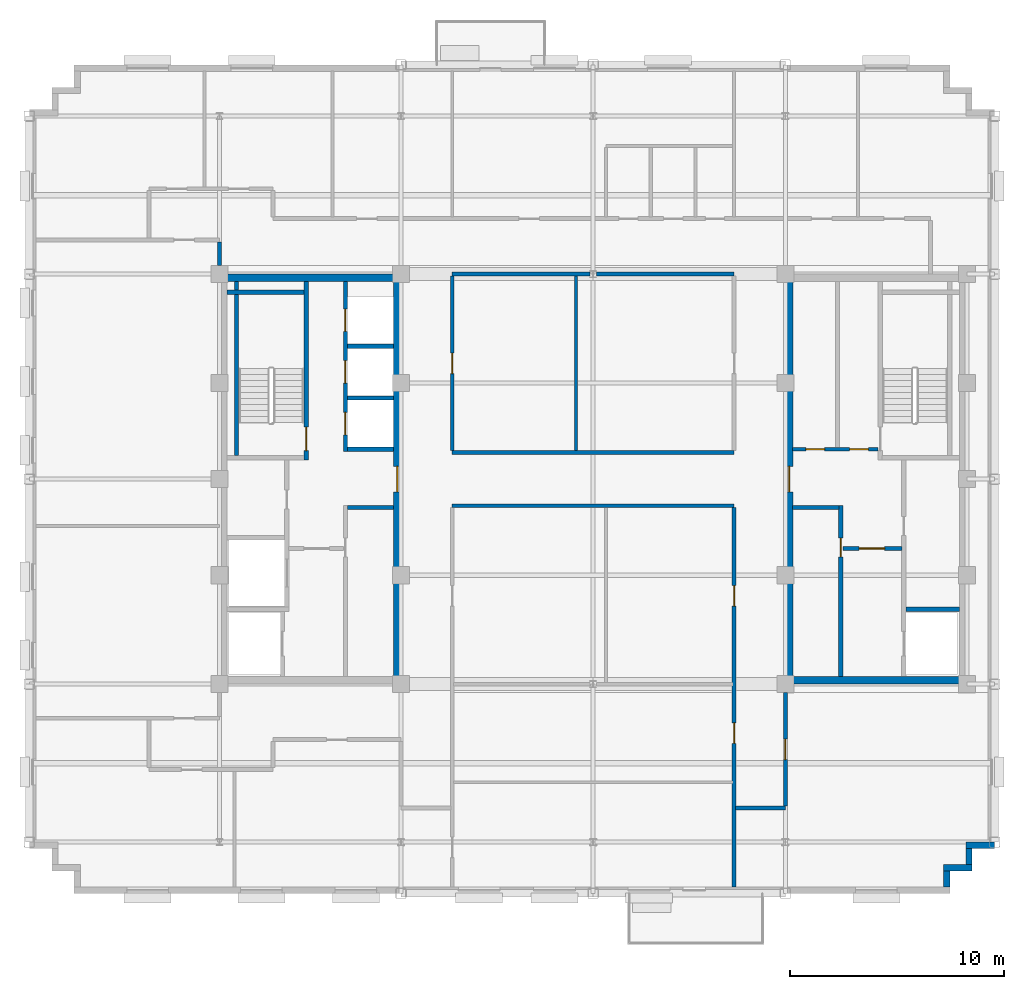
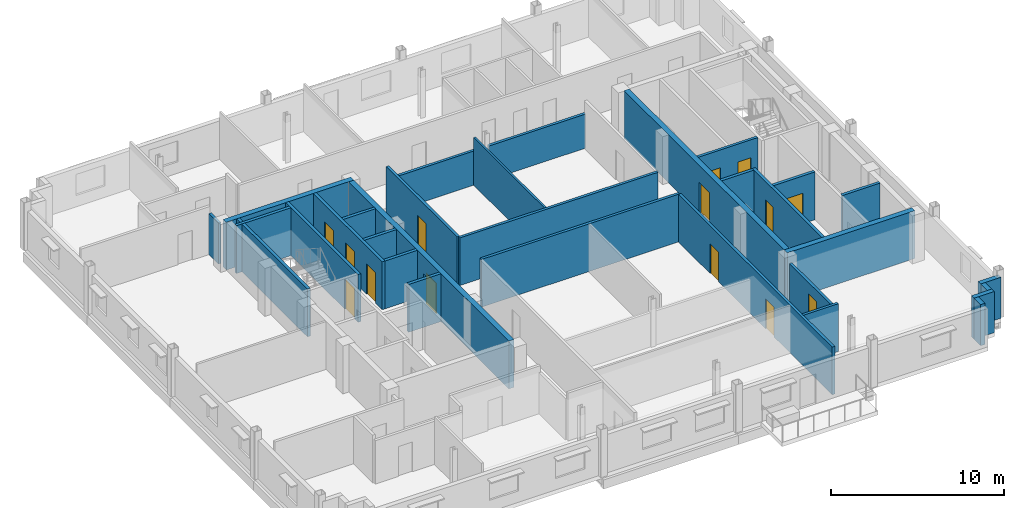
# One storey, part 7 of 13: 31 walls, 14 doors, 14 openings.
"""IFC4 building model written with IfcOpenShell, lengths in metres."""

import ifcopenshell
import ifcopenshell.guid

model = None  # the IFC model being written
_history = None  # IfcOwnerHistory: only IFC2X3 demands one
_inside = {}  # id of a spatial element -> (the spatial element, [elements in it])
_under = {}  # id of a project, library or spatial element -> (it, [spatial elements below it])
_declared = {}  # id of a project -> (the project, [libraries it declares])
_typed = {}  # id of a type object -> (the type object, [elements of that type])
_made_of = {}  # id of a material, layer set ... -> (it, [elements and type objects made of it])


def new_model(schema):
    """Start an empty IFC model of exactly this schema.

    Asked for "IFC4X3", IfcOpenShell would pick the latest addendum, in which some entities
    have other attributes; the version numbers below select the first issue.
    IFC2X3 requires an IfcOwnerHistory on every rooted entity: one is made here for all.
    """
    global model, _history
    if schema == "IFC4X3":
        model = ifcopenshell.file(schema_version=(4, 3, 0, 0))
    else:
        model = ifcopenshell.file(schema=schema)
    _inside.clear()
    _under.clear()
    _declared.clear()
    _typed.clear()
    _made_of.clear()
    _history = None
    if model.schema == "IFC2X3":
        org = make("IfcOrganization", Name="unknown")
        user = make(
            "IfcPersonAndOrganization",
            ThePerson=make("IfcPerson", FamilyName="unknown"),
            TheOrganization=org,
        )
        app = make(
            "IfcApplication",
            ApplicationDeveloper=org,
            Version="unknown",
            ApplicationFullName="unknown",
            ApplicationIdentifier="unknown",
        )
        _history = make(
            "IfcOwnerHistory",
            OwningUser=user,
            OwningApplication=app,
            ChangeAction="ADDED",
            CreationDate=0,
        )
    return model


def make(cls, **values):
    """One entity of the class cls with the attributes given. An attribute that is None is left unset."""
    return model.create_entity(
        cls, **{name: value for name, value in values.items() if value is not None}
    )


def rooted(cls, **values):
    """An entity with a GlobalId (a new one), such as an element, a storey or a relation."""
    return make(cls, GlobalId=ifcopenshell.guid.new(), OwnerHistory=_history, **values)


def si_unit(unit_type, name, prefix=None):
    """IfcSIUnit, for example si_unit("LENGTHUNIT", "METRE", prefix="MILLI")."""
    return make("IfcSIUnit", UnitType=unit_type, Prefix=prefix, Name=name)


def assignment(units):
    """IfcUnitAssignment: the units of a project."""
    return None if units is None else make("IfcUnitAssignment", Units=units)


def point(xyz):
    """IfcCartesianPoint."""
    return None if xyz is None else make("IfcCartesianPoint", Coordinates=xyz)


def direction(xyz):
    """IfcDirection."""
    return None if xyz is None else make("IfcDirection", DirectionRatios=xyz)


def frame(location, z_axis=None, x_axis=None):
    """IfcAxis2Placement3D, a coordinate frame: its origin and axes. An axis left out is left unset."""
    return make(
        "IfcAxis2Placement3D",
        Location=point(location),
        Axis=direction(z_axis),
        RefDirection=direction(x_axis),
    )


def frame_2d(location, x_axis=None):
    """IfcAxis2Placement2D, a coordinate frame in the plane: its origin and x axis."""
    return make(
        "IfcAxis2Placement2D", Location=point(location), RefDirection=direction(x_axis)
    )


def origin():
    """The frame at (0, 0, 0) with its axes left unset."""
    return frame((0.0, 0.0, 0.0))


def place(relative_to, where):
    """IfcLocalPlacement: puts the frame where relative to a parent placement (None: the world)."""
    return make(
        "IfcLocalPlacement", PlacementRelTo=relative_to, RelativePlacement=where
    )


def context(
    kind, dimensions, precision=None, world=None, true_north=None, identifier=None
):
    """IfcGeometricRepresentationContext, for example the 3D "Model" context."""
    return make(
        "IfcGeometricRepresentationContext",
        ContextIdentifier=identifier,
        ContextType=kind,
        CoordinateSpaceDimension=dimensions,
        Precision=precision,
        WorldCoordinateSystem=world,
        TrueNorth=true_north,
    )


def subcontext(parent, identifier, kind, view, scale=None):
    """IfcGeometricRepresentationSubContext, for example "Body" below "Model"."""
    return make(
        "IfcGeometricRepresentationSubContext",
        ContextIdentifier=identifier,
        ContextType=kind,
        ParentContext=parent,
        TargetScale=scale,
        TargetView=view,
    )


def project(units=None, contexts=None):
    """IfcProject with its units and contexts."""
    return rooted(
        "IfcProject",
        Name="project",
        RepresentationContexts=contexts,
        UnitsInContext=assignment(units),
    )


def spatial(cls, under=None, at=None, **own):
    """A site, building, storey or space (cls), placed at a placement, below another one or the project."""
    s = rooted(cls, ObjectPlacement=at, **own)
    if under is not None:
        _under.setdefault(under.id(), (under, []))[1].append(s)
    return s


def profile(cls, at=None, kind="AREA", **sizes):
    """A parametric profile (cls). Its sizes go by their IFC names, for example OverallWidth=200.0."""
    return make(cls, ProfileType=kind, Position=at, **sizes)


def rectangle(**sizes):
    """IfcRectangleProfileDef."""
    return profile("IfcRectangleProfileDef", **sizes)


def extrude(swept, where, along, depth):
    """IfcExtrudedAreaSolid: the profile swept, set in the frame where, extruded along a direction by depth."""
    return make(
        "IfcExtrudedAreaSolid",
        SweptArea=swept,
        Position=where,
        ExtrudedDirection=direction(along),
        Depth=depth,
    )


def shape(context_of_items, identifier, shape_type, items):
    """IfcShapeRepresentation: the items that make up one representation, for example the "Body"."""
    return make(
        "IfcShapeRepresentation",
        ContextOfItems=context_of_items,
        RepresentationIdentifier=identifier,
        RepresentationType=shape_type,
        Items=items,
    )


def source(mapping_origin, context_of_items, identifier, shape_type, items):
    """IfcRepresentationMap: a shape defined once, which mapped items show again and again."""
    return make(
        "IfcRepresentationMap",
        MappingOrigin=mapping_origin,
        MappedRepresentation=shape(context_of_items, identifier, shape_type, items),
    )


def transform(
    local_origin,
    x_axis=None,
    y_axis=None,
    z_axis=None,
    scale=None,
    scale2=None,
    scale3=None,
    uniform=True,
):
    """IfcCartesianTransformationOperator3D, or its non-uniform kind. x_axis, y_axis, z_axis: its Axis1, 2, 3."""
    if uniform:
        return make(
            "IfcCartesianTransformationOperator3D",
            Axis1=direction(x_axis),
            Axis2=direction(y_axis),
            LocalOrigin=point(local_origin),
            Scale=scale,
            Axis3=direction(z_axis),
        )
    return make(
        "IfcCartesianTransformationOperator3DnonUniform",
        Axis1=direction(x_axis),
        Axis2=direction(y_axis),
        LocalOrigin=point(local_origin),
        Scale=scale,
        Axis3=direction(z_axis),
        Scale2=scale2,
        Scale3=scale3,
    )


def mapped(mapping_source, mapping_target):
    """IfcMappedItem: shows the shape of a source again, moved by a transform."""
    return make(
        "IfcMappedItem", MappingSource=mapping_source, MappingTarget=mapping_target
    )


def material(Name=None, Category=None):
    """IfcMaterial."""
    return make("IfcMaterial", Name=Name, Category=Category)


def layer(
    of_material, thickness, ventilated=None, Name=None, Category=None, Priority=None
):
    """IfcMaterialLayer: one layer of a wall or slab, of a material (None: an air gap)."""
    return make(
        "IfcMaterialLayer",
        Material=of_material,
        LayerThickness=thickness,
        IsVentilated=ventilated,
        Name=Name,
        Category=Category,
        Priority=Priority,
    )


def layer_set(layers, Name=None):
    """IfcMaterialLayerSet."""
    return make("IfcMaterialLayerSet", MaterialLayers=layers, LayerSetName=Name)


def made_of(thing, what):
    """Note that an element or type object is made of a material, layer set ...; save() writes the relation."""
    if what is not None:
        _made_of.setdefault(what.id(), (what, []))[1].append(thing)
    return thing


def type_object(cls, material=None, **own):
    """A type object (cls), such as IfcWallType, which elements share."""
    return made_of(rooted(cls, **own), material)


def type_shapes(of_type, sources):
    """Give a type object the sources (RepresentationMaps) that its elements show as mapped items."""
    of_type.RepresentationMaps = sources


def element(
    cls,
    number,
    at=None,
    inside=None,
    cuts=None,
    type_object=None,
    material=None,
    context=None,
    identifier="Body",
    shape_type=None,
    held_by="IfcProductDefinitionShape",
    body=None,
    shapes=None,
    **own,
):
    """One element of the class cls, such as IfcWall. Its Tag is "e" and its number.

    at: its placement. inside: the storey or other place that contains it. cuts: it is an
    opening in that element (IfcRelVoidsElement). A single representation is given by context,
    identifier, shape_type and body (its items); several are given by shapes. held_by: the class
    of the entity that holds the representations. save() writes the other relations.
    """
    e = rooted(cls, Tag="e%d" % number, ObjectPlacement=at, **own)
    if body is not None:
        shapes = [shape(context, identifier, shape_type, body)]
    if shapes is not None:
        e.Representation = make(held_by, Representations=shapes)
    if inside is not None:
        _inside.setdefault(inside.id(), (inside, []))[1].append(e)
    if cuts is not None:
        rooted(
            "IfcRelVoidsElement", RelatingBuildingElement=cuts, RelatedOpeningElement=e
        )
    if type_object is not None:
        _typed.setdefault(type_object.id(), (type_object, []))[1].append(e)
    return made_of(e, material)


def fill(opening, filler):
    """IfcRelFillsElement: the door or window that sits in an opening."""
    return rooted(
        "IfcRelFillsElement",
        RelatingOpeningElement=opening,
        RelatedBuildingElement=filler,
    )


def aggregate(whole, parts):
    """IfcRelAggregates: a whole, such as a stair, and the parts it consists of."""
    return rooted("IfcRelAggregates", RelatingObject=whole, RelatedObjects=parts)


def save(model, path):
    """Write the relations noted so far, then the file.

    IfcRelAggregates (storeys below a building ...), IfcRelContainedInSpatialStructure (elements
    in a storey), IfcRelDefinesByType, IfcRelAssociatesMaterial and IfcRelDeclares: one each for
    every whole, place, type object, material and project.
    """
    for whole, parts in _under.values():
        aggregate(whole, parts)
    for where, things in _inside.values():
        rooted(
            "IfcRelContainedInSpatialStructure",
            RelatedElements=things,
            RelatingStructure=where,
        )
    for kind, things in _typed.values():
        rooted("IfcRelDefinesByType", RelatedObjects=things, RelatingType=kind)
    for what, things in _made_of.values():
        rooted("IfcRelAssociatesMaterial", RelatedObjects=things, RelatingMaterial=what)
    for by, libraries in _declared.values():
        rooted("IfcRelDeclares", RelatingContext=by, RelatedDefinitions=libraries)
    model.write(path)


model = new_model("IFC4")

# Units and contexts
model_context = context("Model", 3, precision=1e-05, world=origin(), true_north=direction((0.0, 1.0)))
body_context = subcontext(model_context, "Body", "Model", "MODEL_VIEW")
ifc_project = project(units=[si_unit("LENGTHUNIT", "METRE"), si_unit("AREAUNIT", "SQUARE_METRE"), si_unit("VOLUMEUNIT", "CUBIC_METRE"), si_unit("PLANEANGLEUNIT", "RADIAN"), si_unit("MASSUNIT", "GRAM", prefix="KILO")], contexts=[model_context])

# Site, building, storey
site_placement = place(None, origin())
site = spatial("IfcSite", under=ifc_project, at=site_placement, CompositionType="ELEMENT")
building_placement = place(site_placement, origin())
building = spatial("IfcBuilding", under=site, at=building_placement, Name="Nuvemarco Arch Tower", CompositionType="ELEMENT")
storey_placement = place(building_placement, frame((0.0, 0.0, 234.699951171875)))
storey = spatial("IfcBuildingStorey", under=building, at=storey_placement, Name="L62", CompositionType="ELEMENT", Elevation=234.699951171875)

# Walls
ifc_material_1 = material(Name="Precast concrete C45/55", Category="concrete")
ifc_layer_1 = layer(ifc_material_1, 0.300048828125, Name="EW-HIGH-300")
ifc_layer_set_1 = layer_set([ifc_layer_1], Name="Precast concrete C45/55")
wall_type_1 = type_object("IfcWallType", Name="EW-HIGH-300", PredefinedType="STANDARD", material=ifc_layer_set_1)
wall_1_placement = place(storey_placement, frame((16.550048828125, -19.10400390625, 0.0), z_axis=(0.0, 0.0, 1.0), x_axis=(0.0, 1.0, 0.0)))
element("IfcWall", 1, at=wall_1_placement, inside=storey, type_object=wall_type_1, Name="L62 exterior precast facade wall 2", PredefinedType="STANDARD", context=body_context, shape_type="SweptSolid", body=[
    extrude(rectangle(XDim=0.758056640625, YDim=0.300048828125, at=frame_2d((0.37890625, 0.0))), origin(), (0.0, 0.0, 1.0), 2.89208984375),
])
wall_2_placement = place(storey_placement, frame((16.39990234375, -18.199951171875, 0.0), z_axis=(0.0, 0.0, 1.0), x_axis=(1.0, 0.0, 0.0)))
element("IfcWall", 2, at=wall_2_placement, inside=storey, type_object=wall_type_1, Name="L62 exterior precast facade wall 3", PredefinedType="STANDARD", context=body_context, shape_type="SweptSolid", body=[
    extrude(rectangle(XDim=1.35009765625, YDim=0.300048828125, at=frame_2d((0.675048828125, 0.0))), origin(), (0.0, 0.0, 1.0), 2.89208984375),
])
wall_3_placement = place(storey_placement, frame((17.60009765625, -18.053955078125, 0.0), z_axis=(0.0, 0.0, 1.0), x_axis=(0.0, 1.0, 0.0)))
element("IfcWall", 3, at=wall_3_placement, inside=storey, type_object=wall_type_1, Name="L62 exterior precast facade wall 4", PredefinedType="STANDARD", context=body_context, shape_type="SweptSolid", body=[
    extrude(rectangle(XDim=0.758056640625, YDim=0.300048828125, at=frame_2d((0.37890625, 0.0))), origin(), (0.0, 0.0, 1.0), 2.89208984375),
])
wall_4_placement = place(storey_placement, frame((17.449951171875, -17.14990234375, 0.0), z_axis=(0.0, 0.0, 1.0), x_axis=(1.0, 0.0, 0.0)))
element("IfcWall", 4, at=wall_4_placement, inside=storey, type_object=wall_type_1, Name="L62 exterior precast facade wall 5", PredefinedType="STANDARD", context=body_context, shape_type="SweptSolid", body=[
    extrude(rectangle(XDim=1.35009765625, YDim=0.300048828125, at=frame_2d((0.675048828125, 0.0))), origin(), (0.0, 0.0, 1.0), 2.89208984375),
])
ifc_material_2 = material(Name="Concrete C50/60", Category="concrete")
ifc_layer_2 = layer(ifc_material_2, 0.35009765625, Name="WL-CORE-350")
ifc_layer_set_2 = layer_set([ifc_layer_2], Name="Concrete C50/60")
wall_type_2 = type_object("IfcWallType", Name="WL-CORE-350", PredefinedType="SHEAR", material=ifc_layer_set_2)
wall_5_placement = place(storey_placement, frame((-17.5, 9.425048828125, 0.0), z_axis=(0.0, 0.0, 1.0), x_axis=(1.0, 0.0, 0.0)))
element("IfcWall", 5, at=wall_5_placement, inside=storey, type_object=wall_type_2, Name="L62 W-core shear wall N", PredefinedType="SHEAR", context=body_context, shape_type="SweptSolid", body=[
    extrude(rectangle(XDim=8.5, YDim=0.35009765625, at=frame_2d((4.25, 0.0))), origin(), (0.0, 0.0, 1.0), 3.3701171875),
])

# Wall, opening, door
wall_6_placement = place(storey_placement, frame((-9.175048828125, -9.2548828125, 0.0), z_axis=(0.0, 0.0, 1.0), x_axis=(0.0, 1.0, 0.0)))
wall_6 = element("IfcWall", 6, at=wall_6_placement, inside=storey, type_object=wall_type_2, Name="L62 W-core shear wall E", PredefinedType="SHEAR", context=body_context, shape_type="SweptSolid", body=[
    extrude(rectangle(XDim=18.509765625, YDim=0.35009765625, at=frame_2d((9.2548828125, 0.0))), origin(), (0.0, 0.0, 1.0), 3.3701171875),
])
opening_1_placement = place(wall_6_placement, frame((8.655029296875, 0.0, 0.0)))
opening_1 = element("IfcOpeningElement", 7, at=opening_1_placement, cuts=wall_6, Name="Opening FD-2", PredefinedType="OPENING", context=body_context, shape_type="SweptSolid", body=[
    extrude(rectangle(XDim=1.199951171875, YDim=2.14990234375, at=frame_2d((0.60009765625, 1.074951171875))), frame((0.0, 0.18505859375, 0.0), z_axis=(0.0, -1.0, 0.0), x_axis=(1.0, 0.0, 0.0)), (0.0, 0.0, 1.0), 0.3701171875),
])
ifc_material_3 = material(Name="Anodised steel fire door", Category="steel")
door_type_1 = type_object("IfcDoorType", Name="DR-FFLOB-FD", OperationType="NOTDEFINED", PredefinedType="DOOR", material=ifc_material_3)
shared_shape_1 = source(origin(), body_context, "Body", "SweptSolid", [
    extrude(rectangle(XDim=1.199951171875, YDim=2.14990234375, at=frame_2d((0.60009765625, 1.074951171875))), frame((0.0, 0.02490234375, 0.0), z_axis=(0.0, -1.0, 0.0), x_axis=(1.0, 0.0, 0.0)), (0.0, 0.0, 1.0), 0.050048828125),
])
type_shapes(door_type_1, [shared_shape_1])
door_1_placement = place(opening_1_placement, origin())
door_1 = element("IfcDoor", 8, at=door_1_placement, inside=storey, type_object=door_type_1, Name="L62 door FD-L62-WCORE-E", OperationType="SINGLE_SWING_RIGHT", OverallHeight=2.14990234375, OverallWidth=1.199951171875, PredefinedType="DOOR", context=body_context, shape_type="MappedRepresentation", body=[
    mapped(shared_shape_1, transform((0.0, 0.0, 0.0), scale=1.0)),
])
fill(opening_1, door_1)

# Wall
wall_7_placement = place(storey_placement, frame((9.0, -9.425048828125, 0.0), z_axis=(0.0, 0.0, 1.0), x_axis=(1.0, 0.0, 0.0)))
element("IfcWall", 9, at=wall_7_placement, inside=storey, type_object=wall_type_2, Name="L62 E-core shear wall S", PredefinedType="SHEAR", context=body_context, shape_type="SweptSolid", body=[
    extrude(rectangle(XDim=8.5, YDim=0.35009765625, at=frame_2d((4.25, 0.0))), origin(), (0.0, 0.0, 1.0), 3.3701171875),
])

# Wall, opening, door
wall_8_placement = place(storey_placement, frame((9.175048828125, -9.2548828125, 0.0), z_axis=(0.0, 0.0, 1.0), x_axis=(0.0, 1.0, 0.0)))
wall_8 = element("IfcWall", 10, at=wall_8_placement, inside=storey, type_object=wall_type_2, Name="L62 E-core shear wall W", PredefinedType="SHEAR", context=body_context, shape_type="SweptSolid", body=[
    extrude(rectangle(XDim=18.509765625, YDim=0.35009765625, at=frame_2d((9.2548828125, 0.0))), origin(), (0.0, 0.0, 1.0), 3.3701171875),
])
opening_2_placement = place(wall_8_placement, frame((8.655029296875, 0.0, 0.0)))
opening_2 = element("IfcOpeningElement", 11, at=opening_2_placement, cuts=wall_8, Name="Opening FD-2", PredefinedType="OPENING", context=body_context, shape_type="SweptSolid", body=[
    extrude(rectangle(XDim=1.199951171875, YDim=2.14990234375, at=frame_2d((0.60009765625, 1.074951171875))), frame((0.0, 0.18505859375, 0.0), z_axis=(0.0, -1.0, 0.0), x_axis=(1.0, 0.0, 0.0)), (0.0, 0.0, 1.0), 0.3701171875),
])
door_2_placement = place(opening_2_placement, origin())
door_2 = element("IfcDoor", 12, at=door_2_placement, inside=storey, type_object=door_type_1, Name="L62 door FD-L62-ECORE-W", OperationType="SINGLE_SWING_LEFT", OverallHeight=2.14990234375, OverallWidth=1.199951171875, PredefinedType="DOOR", context=body_context, shape_type="MappedRepresentation", body=[
    mapped(shared_shape_1, transform((0.0, 0.0, 0.0), scale=1.0)),
])
fill(opening_2, door_2)

# Wall, openings, doors
ifc_material_4 = material(Name="Fire-rated gypsum drywall partition")
ifc_layer_3 = layer(ifc_material_4, 0.179931640625, Name="WL-CORR-180")
ifc_layer_set_3 = layer_set([ifc_layer_3], Name="Fire-rated gypsum drywall partition")
wall_type_3 = type_object("IfcWallType", Name="WL-CORR-180", PredefinedType="PARTITIONING", material=ifc_layer_set_3)
wall_9_placement = place(storey_placement, frame((9.344970703125, 1.39990234375, 0.0), z_axis=(0.0, 0.0, 1.0), x_axis=(1.0, 0.0, 0.0)))
wall_9 = element("IfcWall", 13, at=wall_9_placement, inside=storey, type_object=wall_type_3, Name="L62 interior wall IW-L62-EK-S", PredefinedType="PARTITIONING", context=body_context, shape_type="SweptSolid", body=[
    extrude(rectangle(XDim=4.0, YDim=0.179931640625, at=frame_2d((2.0, 0.0))), origin(), (0.0, 0.0, 1.0), 3.360107421875),
])
opening_3_placement = place(wall_9_placement, frame((0.614990234375, 0.0, 0.0)))
opening_3 = element("IfcOpeningElement", 14, at=opening_3_placement, cuts=wall_9, Name="Opening FD-4", PredefinedType="OPENING", context=body_context, shape_type="SweptSolid", body=[
    extrude(rectangle(XDim=0.8798828125, YDim=2.10009765625, at=frame_2d((0.43994140625, 1.050048828125))), frame((0.0, 0.099853515625, 0.0), z_axis=(0.0, -1.0, 0.0), x_axis=(1.0, 0.0, 0.0)), (0.0, 0.0, 1.0), 0.199951171875),
])
opening_4_placement = place(wall_9_placement, frame((2.6650390625, 0.0, 0.0)))
opening_4 = element("IfcOpeningElement", 15, at=opening_4_placement, cuts=wall_9, Name="Opening FD-4", PredefinedType="OPENING", context=body_context, shape_type="SweptSolid", body=[
    extrude(rectangle(XDim=0.8798828125, YDim=2.10009765625, at=frame_2d((0.43994140625, 1.050048828125))), frame((0.0, 0.099853515625, 0.0), z_axis=(0.0, -1.0, 0.0), x_axis=(1.0, 0.0, 0.0)), (0.0, 0.0, 1.0), 0.199951171875),
])
door_type_2 = type_object("IfcDoorType", Name="DR-RISER-FD", OperationType="NOTDEFINED", PredefinedType="DOOR", material=ifc_material_3)
shared_shape_2 = source(origin(), body_context, "Body", "SweptSolid", [
    extrude(rectangle(XDim=0.8798828125, YDim=2.10009765625, at=frame_2d((0.43994140625, 1.050048828125))), frame((0.0, 0.02490234375, 0.0), z_axis=(0.0, -1.0, 0.0), x_axis=(1.0, 0.0, 0.0)), (0.0, 0.0, 1.0), 0.050048828125),
])
type_shapes(door_type_2, [shared_shape_2])
door_3_placement = place(opening_3_placement, origin())
door_3 = element("IfcDoor", 16, at=door_3_placement, inside=storey, type_object=door_type_2, Name="L62 door FD-L62-EK2A", OperationType="SINGLE_SWING_RIGHT", OverallHeight=2.10009765625, OverallWidth=0.8798828125, PredefinedType="DOOR", context=body_context, shape_type="MappedRepresentation", body=[
    mapped(shared_shape_2, transform((0.0, 0.0, 0.0), scale=1.0)),
])
fill(opening_3, door_3)
door_4_placement = place(opening_4_placement, origin())
door_4 = element("IfcDoor", 17, at=door_4_placement, inside=storey, type_object=door_type_2, Name="L62 door FD-L62-EK2B", OperationType="SINGLE_SWING_LEFT", OverallHeight=2.10009765625, OverallWidth=0.8798828125, PredefinedType="DOOR", context=body_context, shape_type="MappedRepresentation", body=[
    mapped(shared_shape_2, transform((0.0, 0.0, 0.0), scale=1.0)),
])
fill(opening_4, door_4)

# Walls
wall_10_placement = place(storey_placement, frame((6.660888671875, -15.39990234375, 0.0), z_axis=(0.0, 0.0, 1.0), x_axis=(1.0, 0.0, 0.0)))
element("IfcWall", 18, at=wall_10_placement, inside=storey, type_object=wall_type_3, Name="L62 interior wall IW-L62-002", PredefinedType="PARTITIONING", context=body_context, shape_type="SweptSolid", body=[
    extrude(rectangle(XDim=2.339111328125, YDim=0.179931640625, at=frame_2d((1.16943359375, 0.0))), origin(), (0.0, 0.0, 1.0), 3.360107421875),
])
for number, where, z_axis, x_axis, name in (
    (19, (-6.60009765625, -1.25, 0.0), (0.0, 0.0, 1.0), (1.0, 0.0, 0.0), "L62 interior wall IW-L62-010"),
    (20, (-6.60009765625, 1.25, 0.0), (0.0, 0.0, 1.0), (1.0, 0.0, 0.0), "L62 interior wall IW-L62-011"),
):
    element("IfcWall", number, at=place(storey_placement, frame(where, z_axis=z_axis, x_axis=x_axis)), inside=storey, type_object=wall_type_3, Name=name, PredefinedType="PARTITIONING", context=body_context, shape_type="SweptSolid", body=[
        extrude(rectangle(XDim=13.2001953125, YDim=0.179931640625, at=frame_2d((6.60009765625, 0.0))), origin(), (0.0, 0.0, 1.0), 3.360107421875),
    ])
for number, where, z_axis, x_axis, name in (
    (21, (-6.60009765625, 9.60009765625, 0.0), (0.0, 0.0, 1.0), (1.0, 0.0, 0.0), "L62 interior wall IW-L62-012"),
    (22, (0.15087890625, 9.60009765625, 0.0), (0.0, 0.0, 1.0), (1.0, 0.0, 0.0), "L62 interior wall IW-L62-013"),
):
    element("IfcWall", number, at=place(storey_placement, frame(where, z_axis=z_axis, x_axis=x_axis)), inside=storey, type_object=wall_type_3, Name=name, PredefinedType="PARTITIONING", context=body_context, shape_type="SweptSolid", body=[
        extrude(rectangle(XDim=6.44921875, YDim=0.179931640625, at=frame_2d((3.224609375, 0.0))), origin(), (0.0, 0.0, 1.0), 2.405029296875),
    ])
wall_11_placement = place(storey_placement, frame((-17.5, 9.99609375, 0.0), z_axis=(0.0, 0.0, 1.0), x_axis=(0.0, 1.0, 0.0)))
element("IfcWall", 23, at=wall_11_placement, inside=storey, type_object=wall_type_3, Name="L62 interior wall IW-L62-022", PredefinedType="PARTITIONING", context=body_context, shape_type="SweptSolid", body=[
    extrude(rectangle(XDim=1.117919921875, YDim=0.179931640625, at=frame_2d((0.55908203125, 0.0))), origin(), (0.0, 0.0, 1.0), 2.89208984375),
])

# Wall, opening, door
wall_12_placement = place(storey_placement, frame((-6.60009765625, 1.3359375, 0.0), z_axis=(0.0, 0.0, 1.0), x_axis=(0.0, 1.0, 0.0)))
wall_12 = element("IfcWall", 24, at=wall_12_placement, inside=storey, type_object=wall_type_3, Name="L62 interior wall IW-L62-029", PredefinedType="PARTITIONING", context=body_context, shape_type="SweptSolid", body=[
    extrude(rectangle(XDim=8.177978515625, YDim=0.179931640625, at=frame_2d((4.0888671875, 0.0))), origin(), (0.0, 0.0, 1.0), 3.360107421875),
])
opening_5_placement = place(wall_12_placement, frame((3.60888671875, 0.0, 0.0)))
opening_5 = element("IfcOpeningElement", 25, at=opening_5_placement, cuts=wall_12, Name="Opening FD-5", PredefinedType="OPENING", context=body_context, shape_type="SweptSolid", body=[
    extrude(rectangle(XDim=0.9599609375, YDim=2.10009765625, at=frame_2d((0.47998046875, 1.050048828125))), frame((0.0, 0.099853515625, 0.0), z_axis=(0.0, -1.0, 0.0), x_axis=(1.0, 0.0, 0.0)), (0.0, 0.0, 1.0), 0.199951171875),
])
ifc_material_5 = material(Name="Timber fire door", Category="wood")
door_type_3 = type_object("IfcDoorType", Name="DR-CORR-FD", OperationType="NOTDEFINED", PredefinedType="DOOR", material=ifc_material_5)
shared_shape_3 = source(origin(), body_context, "Body", "SweptSolid", [
    extrude(rectangle(XDim=0.9599609375, YDim=2.10009765625, at=frame_2d((0.47998046875, 1.050048828125))), frame((0.0, 0.02490234375, 0.0), z_axis=(0.0, -1.0, 0.0), x_axis=(1.0, 0.0, 0.0)), (0.0, 0.0, 1.0), 0.050048828125),
])
type_shapes(door_type_3, [shared_shape_3])
door_5_placement = place(opening_5_placement, origin())
door_5 = element("IfcDoor", 26, at=door_5_placement, inside=storey, type_object=door_type_3, Name="L62 door DR-L62-C_N1", OperationType="SINGLE_SWING_RIGHT", OverallHeight=2.10009765625, OverallWidth=0.9599609375, PredefinedType="DOOR", context=body_context, shape_type="MappedRepresentation", body=[
    mapped(shared_shape_3, transform((0.0, 0.0, 0.0), scale=1.0)),
])
fill(opening_5, door_5)

# Wall, openings, doors
wall_13_placement = place(storey_placement, frame((6.60009765625, -19.10009765625, 0.0), z_axis=(0.0, 0.0, 1.0), x_axis=(0.0, 1.0, 0.0)))
wall_13 = element("IfcWall", 27, at=wall_13_placement, inside=storey, type_object=wall_type_3, Name="L62 interior wall IW-L62-036", PredefinedType="PARTITIONING", context=body_context, shape_type="SweptSolid", body=[
    extrude(rectangle(XDim=17.76416015625, YDim=0.179931640625, at=frame_2d((8.882080078125, 0.0))), origin(), (0.0, 0.0, 1.0), 3.360107421875),
])
opening_6_placement = place(wall_13_placement, frame((13.152099609375, 0.0, 0.0)))
opening_6 = element("IfcOpeningElement", 28, at=opening_6_placement, cuts=wall_13, Name="Opening FD-5", PredefinedType="OPENING", context=body_context, shape_type="SweptSolid", body=[
    extrude(rectangle(XDim=0.9599609375, YDim=2.10009765625, at=frame_2d((0.47998046875, 1.050048828125))), frame((0.0, 0.099853515625, 0.0), z_axis=(0.0, -1.0, 0.0), x_axis=(1.0, 0.0, 0.0)), (0.0, 0.0, 1.0), 0.199951171875),
])
opening_7_placement = place(wall_13_placement, frame((6.719970703125, 0.0, 0.0)))
opening_7 = element("IfcOpeningElement", 29, at=opening_7_placement, cuts=wall_13, Name="Opening FD-5", PredefinedType="OPENING", context=body_context, shape_type="SweptSolid", body=[
    extrude(rectangle(XDim=0.9599609375, YDim=2.10009765625, at=frame_2d((0.47998046875, 1.050048828125))), frame((0.0, 0.099853515625, 0.0), z_axis=(0.0, -1.0, 0.0), x_axis=(1.0, 0.0, 0.0)), (0.0, 0.0, 1.0), 0.199951171875),
])
door_6_placement = place(opening_6_placement, origin())
door_6 = element("IfcDoor", 30, at=door_6_placement, inside=storey, type_object=door_type_3, Name="L62 door DR-L62-C_S2", OperationType="SINGLE_SWING_LEFT", OverallHeight=2.10009765625, OverallWidth=0.9599609375, PredefinedType="DOOR", context=body_context, shape_type="MappedRepresentation", body=[
    mapped(shared_shape_3, transform((0.0, 0.0, 0.0), scale=1.0)),
])
fill(opening_6, door_6)
door_7_placement = place(opening_7_placement, origin())
door_7 = element("IfcDoor", 31, at=door_7_placement, inside=storey, type_object=door_type_3, Name="L62 door DR-L62-S_3", OperationType="SINGLE_SWING_LEFT", OverallHeight=2.10009765625, OverallWidth=0.9599609375, PredefinedType="DOOR", context=body_context, shape_type="MappedRepresentation", body=[
    mapped(shared_shape_3, transform((0.0, 0.0, 0.0), scale=1.0)),
])
fill(opening_7, door_7)

# Wall, opening, door
wall_14_placement = place(storey_placement, frame((9.0, -15.31396484375, 0.0), z_axis=(0.0, 0.0, 1.0), x_axis=(0.0, 1.0, 0.0)))
wall_14 = element("IfcWall", 32, at=wall_14_placement, inside=storey, type_object=wall_type_3, Name="L62 interior wall IW-L62-039", PredefinedType="PARTITIONING", context=body_context, shape_type="SweptSolid", body=[
    extrude(rectangle(XDim=5.31787109375, YDim=0.179931640625, at=frame_2d((2.658935546875, 0.0))), origin(), (0.0, 0.0, 1.0), 2.89208984375),
])
opening_8_placement = place(wall_14_placement, frame((2.178955078125, 0.0, 0.0)))
opening_8 = element("IfcOpeningElement", 33, at=opening_8_placement, cuts=wall_14, Name="Opening FD-5", PredefinedType="OPENING", context=body_context, shape_type="SweptSolid", body=[
    extrude(rectangle(XDim=0.9599609375, YDim=2.10009765625, at=frame_2d((0.47998046875, 1.050048828125))), frame((0.0, 0.099853515625, 0.0), z_axis=(0.0, -1.0, 0.0), x_axis=(1.0, 0.0, 0.0)), (0.0, 0.0, 1.0), 0.199951171875),
])
door_8_placement = place(opening_8_placement, origin())
door_8 = element("IfcDoor", 34, at=door_8_placement, inside=storey, type_object=door_type_3, Name="L62 door DR-L62-S_5", OperationType="SINGLE_SWING_RIGHT", OverallHeight=2.10009765625, OverallWidth=0.9599609375, PredefinedType="DOOR", context=body_context, shape_type="MappedRepresentation", body=[
    mapped(shared_shape_3, transform((0.0, 0.0, 0.0), scale=1.0)),
])
fill(opening_8, door_8)

# Wall
ifc_material_6 = material(Name="Glazed acoustic office partition")
ifc_layer_4 = layer(ifc_material_6, 0.1298828125, Name="WL-EXEC-130")
ifc_layer_set_4 = layer_set([ifc_layer_4], Name="Glazed acoustic office partition")
wall_type_4 = type_object("IfcWallType", Name="WL-EXEC-130", PredefinedType="PARTITIONING", material=ifc_layer_set_4)
wall_15_placement = place(storey_placement, frame((-0.800048828125, 1.3359375, 0.0), z_axis=(0.0, 0.0, 1.0), x_axis=(0.0, 1.0, 0.0)))
element("IfcWall", 35, at=wall_15_placement, inside=storey, type_object=wall_type_4, Name="L62 interior wall IW-L62-031", PredefinedType="PARTITIONING", context=body_context, shape_type="SweptSolid", body=[
    extrude(rectangle(XDim=8.177978515625, YDim=0.1298828125, at=frame_2d((4.0888671875, 0.0))), origin(), (0.0, 0.0, 1.0), 3.360107421875),
])

# Wall, opening, door
ifc_layer_5 = layer(ifc_material_2, 0.199951171875, Name="WL-SHAFT-220")
ifc_layer_set_5 = layer_set([ifc_layer_5], Name="Concrete C50/60")
wall_type_5 = type_object("IfcWallType", Name="WL-SHAFT-220", PredefinedType="SHEAR", material=ifc_layer_set_5)
wall_16_placement = place(storey_placement, frame((-13.43994140625, 0.89990234375, 0.0), z_axis=(0.0, 0.0, 1.0), x_axis=(0.0, 1.0, 0.0)))
wall_16 = element("IfcWall", 36, at=wall_16_placement, inside=storey, type_object=wall_type_5, Name="L62 structural shaft wall SW-L62-W-ST1E", PredefinedType="SHEAR", context=body_context, shape_type="SweptSolid", body=[
    extrude(rectangle(XDim=8.35498046875, YDim=0.199951171875, at=frame_2d((4.177490234375, 0.0))), origin(), (0.0, 0.0, 1.0), 3.3701171875),
])
opening_9_placement = place(wall_16_placement, frame((1.530029296875, 0.0, 0.0), z_axis=(0.0, 0.0, 1.0), x_axis=(-1.0, 0.0, 0.0)))
opening_9 = element("IfcOpeningElement", 37, at=opening_9_placement, cuts=wall_16, Name="Opening FD-1", PredefinedType="OPENING", context=body_context, shape_type="SweptSolid", body=[
    extrude(rectangle(XDim=1.10009765625, YDim=2.14990234375, at=frame_2d((0.550048828125, 1.074951171875))), frame((0.0, 0.10986328125, 0.0), z_axis=(0.0, -1.0, 0.0), x_axis=(1.0, 0.0, 0.0)), (0.0, 0.0, 1.0), 0.219970703125),
])
door_type_4 = type_object("IfcDoorType", Name="DR-STAIR-FD", OperationType="NOTDEFINED", PredefinedType="DOOR", material=ifc_material_3)
shared_shape_4 = source(origin(), body_context, "Body", "SweptSolid", [
    extrude(rectangle(XDim=1.10009765625, YDim=2.14990234375, at=frame_2d((0.550048828125, 1.074951171875))), frame((0.0, 0.02490234375, 0.0), z_axis=(0.0, -1.0, 0.0), x_axis=(1.0, 0.0, 0.0)), (0.0, 0.0, 1.0), 0.050048828125),
])
type_shapes(door_type_4, [shared_shape_4])
door_9_placement = place(opening_9_placement, origin())
door_9 = element("IfcDoor", 38, at=door_9_placement, inside=storey, type_object=door_type_4, Name="L62 door FD-L62-ST1", OperationType="SINGLE_SWING_RIGHT", OverallHeight=2.14990234375, OverallWidth=1.10009765625, PredefinedType="DOOR", context=body_context, shape_type="MappedRepresentation", body=[
    mapped(shared_shape_4, transform((0.0, 0.0, 0.0), scale=1.0)),
])
fill(opening_9, door_9)

# Walls
wall_17_placement = place(storey_placement, frame((-17.155029296875, 8.75, 0.0), z_axis=(0.0, 0.0, 1.0), x_axis=(1.0, 0.0, 0.0)))
element("IfcWall", 39, at=wall_17_placement, inside=storey, type_object=wall_type_5, Name="L62 structural shaft wall SW-L62-W-ST1N", PredefinedType="SHEAR", context=body_context, shape_type="SweptSolid", body=[
    extrude(rectangle(XDim=3.6201171875, YDim=0.199951171875, at=frame_2d((1.81005859375, 0.0))), origin(), (0.0, 0.0, 1.0), 3.3701171875),
])
wall_18_placement = place(storey_placement, frame((-16.699951171875, 1.094970703125, 0.0), z_axis=(0.0, 0.0, 1.0), x_axis=(0.0, 1.0, 0.0)))
element("IfcWall", 40, at=wall_18_placement, inside=storey, type_object=wall_type_5, Name="L62 structural shaft wall SW-L62-W-ST1W", PredefinedType="SHEAR", context=body_context, shape_type="SweptSolid", body=[
    extrude(rectangle(XDim=8.159912109375, YDim=0.199951171875, at=frame_2d((4.080078125, 0.0))), origin(), (0.0, 0.0, 1.0), 3.3701171875),
])
wall_19_placement = place(storey_placement, frame((-11.5048828125, -1.330078125, 0.0), z_axis=(0.0, 0.0, 1.0), x_axis=(1.0, 0.0, 0.0)))
element("IfcWall", 41, at=wall_19_placement, inside=storey, type_object=wall_type_5, Name="L62 structural shaft wall SW-L62-W-PLTOP", PredefinedType="SHEAR", context=body_context, shape_type="SweptSolid", body=[
    extrude(rectangle(XDim=2.159912109375, YDim=0.199951171875, at=frame_2d((1.080078125, 0.0))), origin(), (0.0, 0.0, 1.0), 3.3701171875),
])

# Wall, openings, doors
wall_20_placement = place(storey_placement, frame((-11.60009765625, 1.300048828125, 0.0), z_axis=(0.0, 0.0, 1.0), x_axis=(0.0, 1.0, 0.0)))
wall_20 = element("IfcWall", 42, at=wall_20_placement, inside=storey, type_object=wall_type_5, Name="L62 structural shaft wall SW-L62-W-PHW", PredefinedType="SHEAR", context=body_context, shape_type="SweptSolid", body=[
    extrude(rectangle(XDim=7.954833984375, YDim=0.199951171875, at=frame_2d((3.9775390625, 0.0))), origin(), (0.0, 0.0, 1.0), 3.3701171875),
])
opening_10_placement = place(wall_20_placement, frame((0.77490234375, 0.0, 0.0)))
opening_10 = element("IfcOpeningElement", 43, at=opening_10_placement, cuts=wall_20, Name="Opening LD-1", PredefinedType="OPENING", context=body_context, shape_type="SweptSolid", body=[
    extrude(rectangle(XDim=1.050048828125, YDim=2.14990234375, at=frame_2d((0.52490234375, 1.074951171875))), frame((0.0, 0.10986328125, 0.0), z_axis=(0.0, -1.0, 0.0), x_axis=(1.0, 0.0, 0.0)), (0.0, 0.0, 1.0), 0.219970703125),
])
opening_11_placement = place(wall_20_placement, frame((3.195068359375, 0.0, 0.0)))
opening_11 = element("IfcOpeningElement", 44, at=opening_11_placement, cuts=wall_20, Name="Opening LD-1", PredefinedType="OPENING", context=body_context, shape_type="SweptSolid", body=[
    extrude(rectangle(XDim=1.050048828125, YDim=2.14990234375, at=frame_2d((0.52490234375, 1.074951171875))), frame((0.0, 0.10986328125, 0.0), z_axis=(0.0, -1.0, 0.0), x_axis=(1.0, 0.0, 0.0)), (0.0, 0.0, 1.0), 0.219970703125),
])
opening_12_placement = place(wall_20_placement, frame((5.614990234375, 0.0, 0.0)))
opening_12 = element("IfcOpeningElement", 45, at=opening_12_placement, cuts=wall_20, Name="Opening LD-1", PredefinedType="OPENING", context=body_context, shape_type="SweptSolid", body=[
    extrude(rectangle(XDim=1.050048828125, YDim=2.14990234375, at=frame_2d((0.52490234375, 1.074951171875))), frame((0.0, 0.10986328125, 0.0), z_axis=(0.0, -1.0, 0.0), x_axis=(1.0, 0.0, 0.0)), (0.0, 0.0, 1.0), 0.219970703125),
])
ifc_material_7 = material(Name="Stainless steel lift door", Category="steel")
door_type_5 = type_object("IfcDoorType", Name="DR-LIFT-PASS", OperationType="DOUBLE_DOOR_SLIDING", PredefinedType="DOOR", material=ifc_material_7)
shared_shape_5 = source(origin(), body_context, "Body", "SweptSolid", [
    extrude(rectangle(XDim=1.050048828125, YDim=2.14990234375, at=frame_2d((0.52490234375, 1.074951171875))), frame((0.0, 0.02490234375, 0.0), z_axis=(0.0, -1.0, 0.0), x_axis=(1.0, 0.0, 0.0)), (0.0, 0.0, 1.0), 0.050048828125),
])
type_shapes(door_type_5, [shared_shape_5])
door_10_placement = place(opening_10_placement, origin())
door_10 = element("IfcDoor", 46, at=door_10_placement, inside=storey, type_object=door_type_5, Name="L62 Lift landing sliding door PH-1", OperationType="DOUBLE_DOOR_SLIDING", OverallHeight=2.14990234375, OverallWidth=1.050048828125, PredefinedType="DOOR", context=body_context, shape_type="MappedRepresentation", body=[
    mapped(shared_shape_5, transform((0.0, 0.0, 0.0), scale=1.0)),
])
fill(opening_10, door_10)
door_11_placement = place(opening_11_placement, origin())
door_11 = element("IfcDoor", 47, at=door_11_placement, inside=storey, type_object=door_type_5, Name="L62 Lift landing sliding door PH-2", OperationType="DOUBLE_DOOR_SLIDING", OverallHeight=2.14990234375, OverallWidth=1.050048828125, PredefinedType="DOOR", context=body_context, shape_type="MappedRepresentation", body=[
    mapped(shared_shape_5, transform((0.0, 0.0, 0.0), scale=1.0)),
])
fill(opening_11, door_11)
door_12_placement = place(opening_12_placement, origin())
door_12 = element("IfcDoor", 48, at=door_12_placement, inside=storey, type_object=door_type_5, Name="L62 Lift landing sliding door PH-3", OperationType="DOUBLE_DOOR_SLIDING", OverallHeight=2.14990234375, OverallWidth=1.050048828125, PredefinedType="DOOR", context=body_context, shape_type="MappedRepresentation", body=[
    mapped(shared_shape_5, transform((0.0, 0.0, 0.0), scale=1.0)),
])
fill(opening_12, door_12)

# Walls
for number, where, z_axis, x_axis, name in (
    (49, (-11.5048828125, 1.39990234375, 0.0), (0.0, 0.0, 1.0), (1.0, 0.0, 0.0), "L62 structural shaft wall SW-L62-W-PHD1"),
    (50, (-11.5048828125, 3.800048828125, 0.0), (0.0, 0.0, 1.0), (1.0, 0.0, 0.0), "L62 structural shaft wall SW-L62-W-PHD2"),
    (51, (-11.5048828125, 6.219970703125, 0.0), (0.0, 0.0, 1.0), (1.0, 0.0, 0.0), "L62 structural shaft wall SW-L62-W-PHD3"),
):
    element("IfcWall", number, at=place(storey_placement, frame(where, z_axis=z_axis, x_axis=x_axis)), inside=storey, type_object=wall_type_5, Name=name, PredefinedType="SHEAR", context=body_context, shape_type="SweptSolid", body=[
        extrude(rectangle(XDim=2.159912109375, YDim=0.199951171875, at=frame_2d((1.080078125, 0.0))), origin(), (0.0, 0.0, 1.0), 3.3701171875),
    ])
wall_21_placement = place(storey_placement, frame((14.64501953125, -6.10009765625, 0.0), z_axis=(0.0, 0.0, 1.0), x_axis=(1.0, 0.0, 0.0)))
element("IfcWall", 52, at=wall_21_placement, inside=storey, type_object=wall_type_5, Name="L62 structural shaft wall SW-L62-E-SH1", PredefinedType="SHEAR", context=body_context, shape_type="SweptSolid", body=[
    extrude(rectangle(XDim=2.510009765625, YDim=0.199951171875, at=frame_2d((1.2548828125, 0.0))), origin(), (0.0, 0.0, 1.0), 3.3701171875),
])

# Wall, opening, door
wall_22_placement = place(storey_placement, frame((11.60009765625, -9.2548828125, 0.0), z_axis=(0.0, 0.0, 1.0), x_axis=(0.0, 1.0, 0.0)))
wall_22 = element("IfcWall", 53, at=wall_22_placement, inside=storey, type_object=wall_type_5, Name="L62 structural shaft wall SW-L62-E-PME", PredefinedType="SHEAR", context=body_context, shape_type="SweptSolid", body=[
    extrude(rectangle(XDim=8.02490234375, YDim=0.199951171875, at=frame_2d((4.012451171875, 0.0))), origin(), (0.0, 0.0, 1.0), 3.3701171875),
])
opening_13_placement = place(wall_22_placement, frame((5.614990234375, 0.0, 0.0)))
opening_13 = element("IfcOpeningElement", 54, at=opening_13_placement, cuts=wall_22, Name="Opening FD-4", PredefinedType="OPENING", context=body_context, shape_type="SweptSolid", body=[
    extrude(rectangle(XDim=0.8798828125, YDim=2.10009765625, at=frame_2d((0.43994140625, 1.050048828125))), frame((0.0, 0.10986328125, 0.0), z_axis=(0.0, -1.0, 0.0), x_axis=(1.0, 0.0, 0.0)), (0.0, 0.0, 1.0), 0.219970703125),
])
door_13_placement = place(opening_13_placement, origin())
door_13 = element("IfcDoor", 55, at=door_13_placement, inside=storey, type_object=door_type_2, Name="L62 door FD-L62-ERECPM", OperationType="SINGLE_SWING_LEFT", OverallHeight=2.10009765625, OverallWidth=0.8798828125, PredefinedType="DOOR", context=body_context, shape_type="MappedRepresentation", body=[
    mapped(shared_shape_2, transform((0.0, 0.0, 0.0), scale=1.0)),
])
fill(opening_13, door_13)

wall_23_placement = place(storey_placement, frame((11.695068359375, -3.25, 0.0), z_axis=(0.0, 0.0, 1.0), x_axis=(1.0, 0.0, 0.0)))
wall_23 = element("IfcWall", 56, at=wall_23_placement, inside=storey, type_object=wall_type_5, Name="L62 structural shaft wall SW-L62-E-FFN", PredefinedType="SHEAR", context=body_context, shape_type="SweptSolid", body=[
    extrude(rectangle(XDim=2.760009765625, YDim=0.199951171875, at=frame_2d((1.3798828125, 0.0))), origin(), (0.0, 0.0, 1.0), 3.3701171875),
])
opening_14_placement = place(wall_23_placement, frame((0.7548828125, 0.0, 0.0)))
opening_14 = element("IfcOpeningElement", 57, at=opening_14_placement, cuts=wall_23, Name="Opening FD-2", PredefinedType="OPENING", context=body_context, shape_type="SweptSolid", body=[
    extrude(rectangle(XDim=1.199951171875, YDim=2.14990234375, at=frame_2d((0.60009765625, 1.074951171875))), frame((0.0, 0.10986328125, 0.0), z_axis=(0.0, -1.0, 0.0), x_axis=(1.0, 0.0, 0.0)), (0.0, 0.0, 1.0), 0.219970703125),
])
door_14_placement = place(opening_14_placement, origin())
door_14 = element("IfcDoor", 58, at=door_14_placement, inside=storey, type_object=door_type_1, Name="L62 door FD-L62-EFF2", OperationType="SINGLE_SWING_LEFT", OverallHeight=2.14990234375, OverallWidth=1.199951171875, PredefinedType="DOOR", context=body_context, shape_type="MappedRepresentation", body=[
    mapped(shared_shape_1, transform((0.0, 0.0, 0.0), scale=1.0)),
])
fill(opening_14, door_14)

# Wall
wall_24_placement = place(storey_placement, frame((9.344970703125, -1.330078125, 0.0), z_axis=(0.0, 0.0, 1.0), x_axis=(1.0, 0.0, 0.0)))
element("IfcWall", 59, at=wall_24_placement, inside=storey, type_object=wall_type_5, Name="L62 structural shaft wall SW-L62-E-PMTOP", PredefinedType="SHEAR", context=body_context, shape_type="SweptSolid", body=[
    extrude(rectangle(XDim=2.159912109375, YDim=0.199951171875, at=frame_2d((1.080078125, 0.0))), origin(), (0.0, 0.0, 1.0), 3.3701171875),
])

save(model, "model.ifc")
